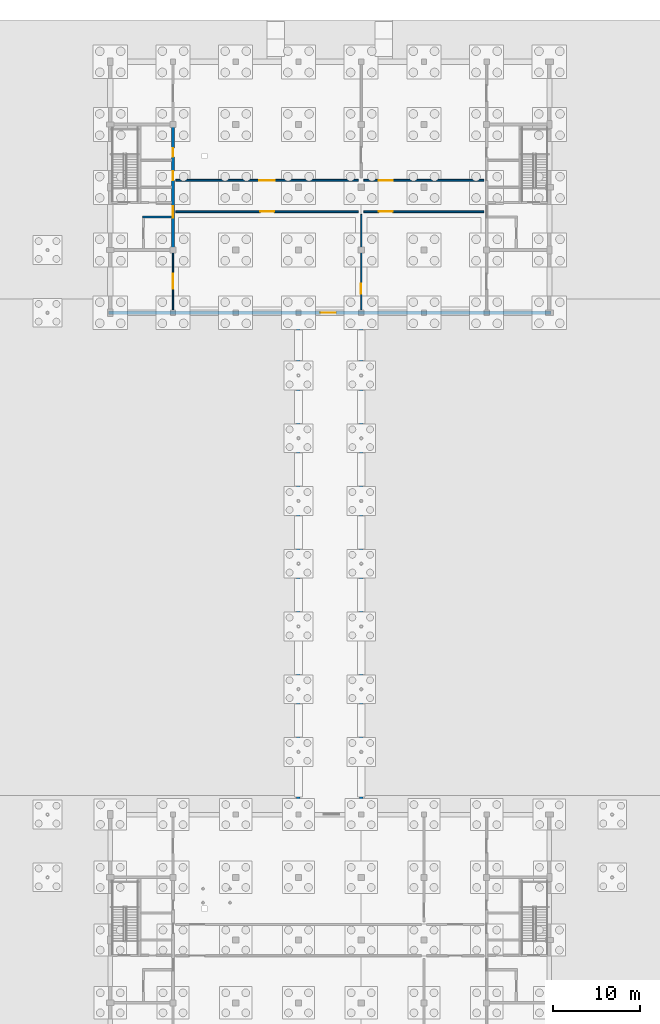
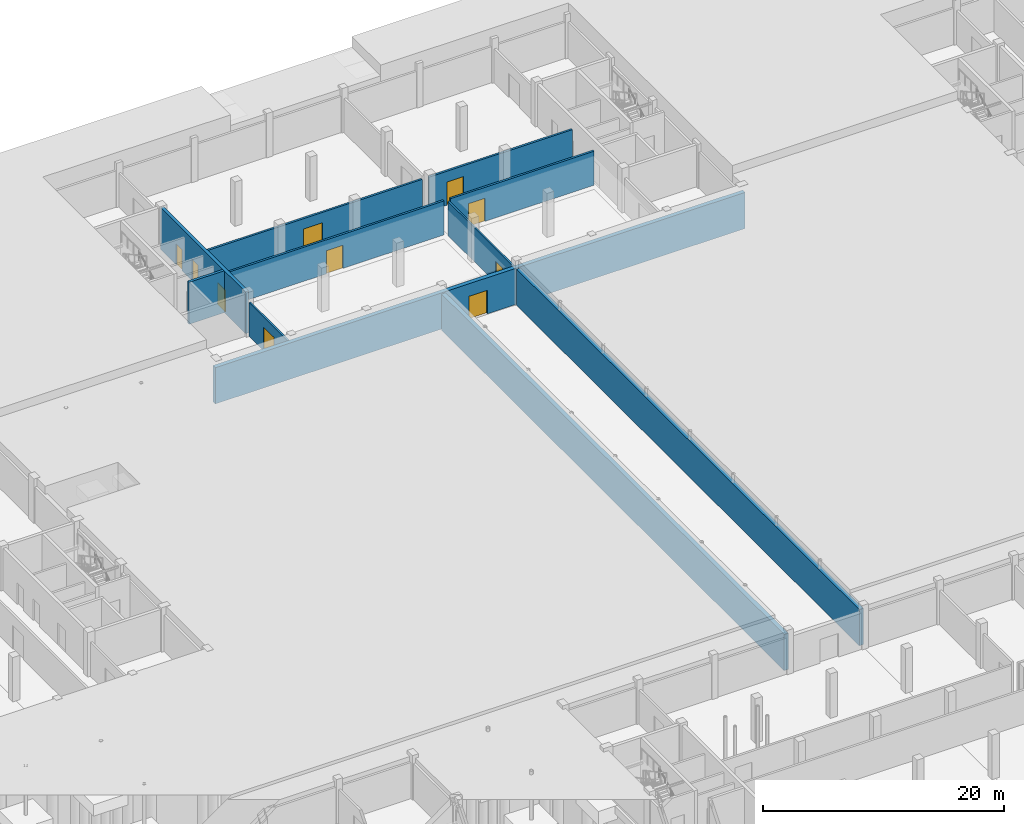
# One storey, part 30 of 51: 11 walls, 10 doors, 10 openings.
"""IFC4 building model written with IfcOpenShell, lengths in metres."""

from ifc_helpers import new_model, si_unit, direction, frame, frame_2d, origin, place, context, subcontext, project, spatial, rectangle, extrude, material, layer, layer_set, type_object, element, fill, save


model = new_model("IFC4")

# Units and contexts
model_context = context("Model", 3, precision=1e-05, world=origin(), true_north=direction((0.0, 1.0)))
body_context = subcontext(model_context, "Body", "Model", "MODEL_VIEW")
ifc_project = project(units=[si_unit("LENGTHUNIT", "METRE"), si_unit("AREAUNIT", "SQUARE_METRE"), si_unit("VOLUMEUNIT", "CUBIC_METRE"), si_unit("PLANEANGLEUNIT", "RADIAN"), si_unit("MASSUNIT", "GRAM", prefix="KILO")], contexts=[model_context])

# Site, building, storey
site_placement = place(None, origin())
site = spatial("IfcSite", under=ifc_project, at=site_placement, CompositionType="ELEMENT")
building_placement = place(site_placement, origin())
building = spatial("IfcBuilding", under=site, at=building_placement, Name="Zlatovets Crest Museum", CompositionType="ELEMENT")
storey_placement = place(building_placement, frame((0.0, 0.0, -4.5)))
storey = spatial("IfcBuildingStorey", under=building, at=storey_placement, Name="B1", CompositionType="ELEMENT", Elevation=-4.5)

# Wall, openings, doors
ifc_material_1 = material(Name="Concrete C35/45", Category="concrete")
ifc_layer_1 = layer(ifc_material_1, 0.300048828125)
ifc_layer_set_1 = layer_set([ifc_layer_1], Name="Concrete C35/45")
wall_type_1 = type_object("IfcWallType", Name="CoreWall_SW01", PredefinedType="SHEAR", material=ifc_layer_set_1)
wall_1_placement = place(storey_placement, frame((64.800048828125, 93.75, 0.0), z_axis=(0.0, 0.0, 1.0), x_axis=(0.0, 1.0, 0.0)))
wall_1 = element("IfcWall", 1, at=wall_1_placement, inside=storey, type_object=wall_type_1, Name="Core C1 B1 Spine Shear Wall", PredefinedType="SHEAR", context=body_context, shape_type="SweptSolid", body=[
    extrude(rectangle(XDim=14.10009765625, YDim=0.300048828125, at=frame_2d((7.050048828125, 0.0))), origin(), (0.0, 0.0, 1.0), 4.25),
])
opening_1_placement = place(wall_1_placement, frame((3.550048828125, 0.0, 0.0)))
opening_1 = element("IfcOpeningElement", 2, at=opening_1_placement, cuts=wall_1, Name="Opening FD-01", PredefinedType="OPENING", context=body_context, shape_type="SweptSolid", body=[
    extrude(rectangle(XDim=1.300048828125, YDim=2.199951171875, at=frame_2d((0.64990234375, 1.10009765625))), frame((0.0, 0.16015625, 0.0), z_axis=(0.0, -1.0, 0.0), x_axis=(1.0, 0.0, 0.0)), (0.0, 0.0, 1.0), 0.320068359375),
])
opening_2_placement = place(wall_1_placement, frame((7.85009765625, 0.0, 0.0)))
opening_2 = element("IfcOpeningElement", 3, at=opening_2_placement, cuts=wall_1, Name="Opening ID-02", PredefinedType="OPENING", context=body_context, shape_type="SweptSolid", body=[
    extrude(rectangle(XDim=1.050048828125, YDim=2.14990234375, at=frame_2d((0.52490234375, 1.074951171875))), frame((0.0, 0.16015625, 0.0), z_axis=(0.0, -1.0, 0.0), x_axis=(1.0, 0.0, 0.0)), (0.0, 0.0, 1.0), 0.320068359375),
])
opening_3_placement = place(wall_1_placement, frame((10.550048828125, 0.0, 0.0)))
opening_3 = element("IfcOpeningElement", 4, at=opening_3_placement, cuts=wall_1, Name="Opening ID-01", PredefinedType="OPENING", context=body_context, shape_type="SweptSolid", body=[
    extrude(rectangle(XDim=1.0, YDim=2.14990234375, at=frame_2d((0.5, 1.074951171875))), frame((0.0, 0.16015625, 0.0), z_axis=(0.0, -1.0, 0.0), x_axis=(1.0, 0.0, 0.0)), (0.0, 0.0, 1.0), 0.320068359375),
])
ifc_material_2 = material(Name="Smoke-sealed steel fire door", Category="steel")
door_type_1 = type_object("IfcDoorType", Name="IntDoor_FD-01", OperationType="NOTDEFINED", PredefinedType="DOOR", material=ifc_material_2)
door_1_placement = place(opening_1_placement, origin())
door_1 = element("IfcDoor", 5, at=door_1_placement, inside=storey, type_object=door_type_1, Name="CDOOR-C1-B1-LOB Core C1 B1 Lobby Fire Door", OperationType="SINGLE_SWING_LEFT", OverallHeight=2.199951171875, OverallWidth=1.300048828125, PredefinedType="DOOR", context=body_context, shape_type="SweptSolid", body=[
    extrude(rectangle(XDim=1.300048828125, YDim=2.199951171875, at=frame_2d((0.64990234375, 1.10009765625))), frame((0.0, 0.02490234375, 0.0), z_axis=(0.0, -1.0, 0.0), x_axis=(1.0, 0.0, 0.0)), (0.0, 0.0, 1.0), 0.050048828125),
])
fill(opening_1, door_1)
ifc_material_3 = material(Name="Solid oak museum room door")
door_type_2 = type_object("IfcDoorType", Name="IntDoor_ID-01", OperationType="NOTDEFINED", PredefinedType="DOOR", material=ifc_material_3)
door_2_placement = place(opening_3_placement, origin())
door_2 = element("IfcDoor", 6, at=door_2_placement, inside=storey, type_object=door_type_2, Name="CDOOR-C1-B1-WC Core C1 B1 Public Restroom Door", OperationType="SINGLE_SWING_RIGHT", OverallHeight=2.14990234375, OverallWidth=1.0, PredefinedType="DOOR", context=body_context, shape_type="SweptSolid", body=[
    extrude(rectangle(XDim=1.0, YDim=2.14990234375, at=frame_2d((0.5, 1.074951171875))), frame((0.0, 0.02490234375, 0.0), z_axis=(0.0, -1.0, 0.0), x_axis=(1.0, 0.0, 0.0)), (0.0, 0.0, 1.0), 0.050048828125),
])
fill(opening_3, door_2)
ifc_material_4 = material(Name="Accessible sanitary room door")
door_type_3 = type_object("IfcDoorType", Name="IntDoor_ID-02", OperationType="NOTDEFINED", PredefinedType="DOOR", material=ifc_material_4)
door_3_placement = place(opening_2_placement, origin())
door_3 = element("IfcDoor", 7, at=door_3_placement, inside=storey, type_object=door_type_3, Name="CDOOR-C1-B1-AWC Core C1 B1 Accessible WC Door", OperationType="SINGLE_SWING_LEFT", OverallHeight=2.14990234375, OverallWidth=1.050048828125, PredefinedType="DOOR", context=body_context, shape_type="SweptSolid", body=[
    extrude(rectangle(XDim=1.050048828125, YDim=2.14990234375, at=frame_2d((0.52490234375, 1.074951171875))), frame((0.0, 0.02490234375, 0.0), z_axis=(0.0, -1.0, 0.0), x_axis=(1.0, 0.0, 0.0)), (0.0, 0.0, 1.0), 0.050048828125),
])
fill(opening_2, door_3)

# Wall
ifc_layer_2 = layer(ifc_material_1, 0.25)
ifc_layer_set_2 = layer_set([ifc_layer_2], Name="Concrete C35/45")
wall_type_2 = type_object("IfcWallType", Name="CoreWall_SW02", PredefinedType="SHEAR", material=ifc_layer_set_2)
wall_2_placement = place(storey_placement, frame((61.27490234375, 97.39990234375, 0.0), z_axis=(0.0, 0.0, 1.0), x_axis=(1.0, 0.0, 0.0)))
element("IfcWall", 8, at=wall_2_placement, inside=storey, type_object=wall_type_2, Name="Core C1 B1 Lift Shaft North Shear Wall", PredefinedType="SHEAR", context=body_context, shape_type="SweptSolid", body=[
    extrude(rectangle(XDim=3.375, YDim=0.25, at=frame_2d((1.6875, 0.0))), origin(), (0.0, 0.0, 1.0), 4.25),
])

# Wall, opening, door
ifc_material_5 = material(Name="Gypsum-encased fire compartment partition")
ifc_layer_3 = layer(ifc_material_5, 0.199951171875)
ifc_layer_set_3 = layer_set([ifc_layer_3], Name="Gypsum-encased fire compartment partition")
wall_type_3 = type_object("IfcWallType", Name="PartWall_PT-01", PredefinedType="PARTITIONING", material=ifc_layer_set_3)
wall_3_placement = place(storey_placement, frame((65.1201171875, 98.0, 0.0), z_axis=(0.0, 0.0, 1.0), x_axis=(1.0, 0.0, 0.0)))
wall_3 = element("IfcWall", 9, at=wall_3_placement, inside=storey, type_object=wall_type_3, Name="V1 B1 Interior Partition PT-01", PredefinedType="PARTITIONING", context=body_context, shape_type="SweptSolid", body=[
    extrude(rectangle(XDim=20.9599609375, YDim=0.199951171875, at=frame_2d((10.47998046875, 0.0))), origin(), (0.0, 0.0, 1.0), 3.449951171875),
])
opening_4_placement = place(wall_3_placement, frame((9.679931640625, 0.0, 0.0)))
opening_4 = element("IfcOpeningElement", 10, at=opening_4_placement, cuts=wall_3, Name="Opening ID-04", PredefinedType="OPENING", context=body_context, shape_type="SweptSolid", body=[
    extrude(rectangle(XDim=1.60009765625, YDim=2.35009765625, at=frame_2d((0.800048828125, 1.175048828125))), frame((0.0, 0.10986328125, 0.0), z_axis=(0.0, -1.0, 0.0), x_axis=(1.0, 0.0, 0.0)), (0.0, 0.0, 1.0), 0.219970703125),
])
ifc_material_6 = material(Name="Gallery salon double portal door")
door_type_4 = type_object("IfcDoorType", Name="IntDoor_ID-04", OperationType="DOUBLE_DOOR_SINGLE_SWING", PredefinedType="DOOR", material=ifc_material_6)
door_4_placement = place(opening_4_placement, origin())
door_4 = element("IfcDoor", 11, at=door_4_placement, inside=storey, type_object=door_type_4, Name="IDOOR-V1-B1-0001 North Basement Spine Corridor to Ancient Serdica Lapidarium Gallery Door", OperationType="DOUBLE_DOOR_SINGLE_SWING", OverallHeight=2.35009765625, OverallWidth=1.60009765625, PredefinedType="DOOR", context=body_context, shape_type="SweptSolid", body=[
    extrude(rectangle(XDim=1.60009765625, YDim=2.35009765625, at=frame_2d((0.800048828125, 1.175048828125))), frame((0.0, 0.02490234375, 0.0), z_axis=(0.0, -1.0, 0.0), x_axis=(1.0, 0.0, 0.0)), (0.0, 0.0, 1.0), 0.050048828125),
])
fill(opening_4, door_4)

wall_4_placement = place(storey_placement, frame((86.719970703125, 98.0, 0.0), z_axis=(0.0, 0.0, 1.0), x_axis=(1.0, 0.0, 0.0)))
wall_4 = element("IfcWall", 12, at=wall_4_placement, inside=storey, type_object=wall_type_3, Name="V1 B1 Interior Partition PT-01", PredefinedType="PARTITIONING", context=body_context, shape_type="SweptSolid", body=[
    extrude(rectangle(XDim=13.760009765625, YDim=0.199951171875, at=frame_2d((6.8798828125, 0.0))), origin(), (0.0, 0.0, 1.0), 3.449951171875),
])
opening_5_placement = place(wall_4_placement, frame((1.701904296875, 0.0, 0.0)))
opening_5 = element("IfcOpeningElement", 13, at=opening_5_placement, cuts=wall_4, Name="Opening ID-04", PredefinedType="OPENING", context=body_context, shape_type="SweptSolid", body=[
    extrude(rectangle(XDim=1.60009765625, YDim=2.35009765625, at=frame_2d((0.800048828125, 1.175048828125))), frame((0.0, 0.10986328125, 0.0), z_axis=(0.0, -1.0, 0.0), x_axis=(1.0, 0.0, 0.0)), (0.0, 0.0, 1.0), 0.219970703125),
])
door_5_placement = place(opening_5_placement, origin())
door_5 = element("IfcDoor", 14, at=door_5_placement, inside=storey, type_object=door_type_4, Name="IDOOR-V1-B1-0002 North Basement Spine Corridor to Thracian Epigraphy Exhibition Gallery Door", OperationType="DOUBLE_DOOR_SINGLE_SWING", OverallHeight=2.35009765625, OverallWidth=1.60009765625, PredefinedType="DOOR", context=body_context, shape_type="SweptSolid", body=[
    extrude(rectangle(XDim=1.60009765625, YDim=2.35009765625, at=frame_2d((0.800048828125, 1.175048828125))), frame((0.0, 0.02490234375, 0.0), z_axis=(0.0, -1.0, 0.0), x_axis=(1.0, 0.0, 0.0)), (0.0, 0.0, 1.0), 0.050048828125),
])
fill(opening_5, door_5)

wall_5_placement = place(storey_placement, frame((65.1201171875, 101.60009765625, 0.0), z_axis=(0.0, 0.0, 1.0), x_axis=(1.0, 0.0, 0.0)))
wall_5 = element("IfcWall", 15, at=wall_5_placement, inside=storey, type_object=wall_type_3, Name="V1 B1 Interior Partition PT-01", PredefinedType="PARTITIONING", context=body_context, shape_type="SweptSolid", body=[
    extrude(rectangle(XDim=20.9599609375, YDim=0.199951171875, at=frame_2d((10.47998046875, 0.0))), origin(), (0.0, 0.0, 1.0), 3.449951171875),
])
opening_6_placement = place(wall_5_placement, frame((9.580078125, 0.0, 0.0)))
opening_6 = element("IfcOpeningElement", 16, at=opening_6_placement, cuts=wall_5, Name="Opening FD-04", PredefinedType="OPENING", context=body_context, shape_type="SweptSolid", body=[
    extrude(rectangle(XDim=1.800048828125, YDim=2.39990234375, at=frame_2d((0.89990234375, 1.199951171875))), frame((0.0, 0.10986328125, 0.0), z_axis=(0.0, -1.0, 0.0), x_axis=(1.0, 0.0, 0.0)), (0.0, 0.0, 1.0), 0.219970703125),
])
ifc_material_7 = material(Name="Archive vault heavy fire door")
door_type_5 = type_object("IfcDoorType", Name="IntDoor_FD-04", OperationType="DOUBLE_DOOR_SINGLE_SWING", PredefinedType="DOOR", material=ifc_material_7)
door_6_placement = place(opening_6_placement, origin())
door_6 = element("IfcDoor", 17, at=door_6_placement, inside=storey, type_object=door_type_5, Name="IDOOR-V1-B1-0003 North Basement Spine Corridor to Sculpture Collection Archive Door", OperationType="DOUBLE_DOOR_SINGLE_SWING", OverallHeight=2.39990234375, OverallWidth=1.800048828125, PredefinedType="DOOR", context=body_context, shape_type="SweptSolid", body=[
    extrude(rectangle(XDim=1.800048828125, YDim=2.39990234375, at=frame_2d((0.89990234375, 1.199951171875))), frame((0.0, 0.02490234375, 0.0), z_axis=(0.0, -1.0, 0.0), x_axis=(1.0, 0.0, 0.0)), (0.0, 0.0, 1.0), 0.050048828125),
])
fill(opening_6, door_6)

wall_6_placement = place(storey_placement, frame((86.719970703125, 101.60009765625, 0.0), z_axis=(0.0, 0.0, 1.0), x_axis=(1.0, 0.0, 0.0)))
wall_6 = element("IfcWall", 18, at=wall_6_placement, inside=storey, type_object=wall_type_3, Name="V1 B1 Interior Partition PT-01", PredefinedType="PARTITIONING", context=body_context, shape_type="SweptSolid", body=[
    extrude(rectangle(XDim=13.760009765625, YDim=0.199951171875, at=frame_2d((6.8798828125, 0.0))), origin(), (0.0, 0.0, 1.0), 3.449951171875),
])
opening_7_placement = place(wall_6_placement, frame((1.701904296875, 0.0, 0.0)))
opening_7 = element("IfcOpeningElement", 19, at=opening_7_placement, cuts=wall_6, Name="Opening ID-04", PredefinedType="OPENING", context=body_context, shape_type="SweptSolid", body=[
    extrude(rectangle(XDim=1.60009765625, YDim=2.35009765625, at=frame_2d((0.800048828125, 1.175048828125))), frame((0.0, 0.10986328125, 0.0), z_axis=(0.0, -1.0, 0.0), x_axis=(1.0, 0.0, 0.0)), (0.0, 0.0, 1.0), 0.219970703125),
])
door_7_placement = place(opening_7_placement, origin())
door_7 = element("IfcDoor", 20, at=door_7_placement, inside=storey, type_object=door_type_4, Name="IDOOR-V1-B1-0004 North Basement Spine Corridor to Stone and Mosaic Conservation Laboratory Door", OperationType="DOUBLE_DOOR_SINGLE_SWING", OverallHeight=2.35009765625, OverallWidth=1.60009765625, PredefinedType="DOOR", context=body_context, shape_type="SweptSolid", body=[
    extrude(rectangle(XDim=1.60009765625, YDim=2.35009765625, at=frame_2d((0.800048828125, 1.175048828125))), frame((0.0, 0.02490234375, 0.0), z_axis=(0.0, -1.0, 0.0), x_axis=(1.0, 0.0, 0.0)), (0.0, 0.0, 1.0), 0.050048828125),
])
fill(opening_7, door_7)

ifc_material_8 = material(Name="Acoustic museum gallery stud partition")
ifc_layer_4 = layer(ifc_material_8, 0.159912109375)
ifc_layer_set_4 = layer_set([ifc_layer_4], Name="Acoustic museum gallery stud partition")
wall_type_4 = type_object("IfcWallType", Name="PartWall_PT-02", PredefinedType="PARTITIONING", material=ifc_layer_set_4)
wall_7_placement = place(storey_placement, frame((86.39990234375, 86.719970703125, 0.0), z_axis=(0.0, 0.0, 1.0), x_axis=(0.0, 1.0, 0.0)))
wall_7 = element("IfcWall", 21, at=wall_7_placement, inside=storey, type_object=wall_type_4, Name="V1 B1 Interior Partition PT-02", PredefinedType="PARTITIONING", context=body_context, shape_type="SweptSolid", body=[
    extrude(rectangle(XDim=10.9599609375, YDim=0.159912109375, at=frame_2d((5.47998046875, 0.0))), origin(), (0.0, 0.0, 1.0), 3.449951171875),
])
opening_8_placement = place(wall_7_placement, frame((1.860595703125, 0.0, 0.0)))
opening_8 = element("IfcOpeningElement", 22, at=opening_8_placement, cuts=wall_7, Name="Opening ID-07", PredefinedType="OPENING", context=body_context, shape_type="SweptSolid", body=[
    extrude(rectangle(XDim=1.14990234375, YDim=2.199951171875, at=frame_2d((0.574951171875, 1.10009765625))), frame((0.0, 0.08984375, 0.0), z_axis=(0.0, -1.0, 0.0), x_axis=(1.0, 0.0, 0.0)), (0.0, 0.0, 1.0), 0.179931640625),
])
ifc_material_9 = material(Name="Curatorial study glazed oak door")
door_type_6 = type_object("IfcDoorType", Name="IntDoor_ID-07", OperationType="NOTDEFINED", PredefinedType="DOOR", material=ifc_material_9)
door_8_placement = place(opening_8_placement, origin())
door_8 = element("IfcDoor", 23, at=door_8_placement, inside=storey, type_object=door_type_6, Name="IDOOR-V1-B1-0005 Ancient Serdica Lapidarium Gallery to Thracian Epigraphy Exhibition Gallery Door", OperationType="SINGLE_SWING_RIGHT", OverallHeight=2.199951171875, OverallWidth=1.14990234375, PredefinedType="DOOR", context=body_context, shape_type="SweptSolid", body=[
    extrude(rectangle(XDim=1.14990234375, YDim=2.199951171875, at=frame_2d((0.574951171875, 1.10009765625))), frame((0.0, 0.02490234375, 0.0), z_axis=(0.0, -1.0, 0.0), x_axis=(1.0, 0.0, 0.0)), (0.0, 0.0, 1.0), 0.050048828125),
])
fill(opening_8, door_8)

wall_8_placement = place(storey_placement, frame((64.800048828125, 86.719970703125, 0.0), z_axis=(0.0, 0.0, 1.0), x_axis=(0.0, 1.0, 0.0)))
wall_8 = element("IfcWall", 24, at=wall_8_placement, inside=storey, type_object=wall_type_4, Name="V1 B1 Interior Partition PT-02", PredefinedType="PARTITIONING", context=body_context, shape_type="SweptSolid", body=[
    extrude(rectangle(XDim=6.56005859375, YDim=0.159912109375, at=frame_2d((3.280029296875, 0.0))), origin(), (0.0, 0.0, 1.0), 3.449951171875),
])
opening_9_placement = place(wall_8_placement, frame((2.429931640625, 0.0, 0.0)))
opening_9 = element("IfcOpeningElement", 25, at=opening_9_placement, cuts=wall_8, Name="Opening ID-08", PredefinedType="OPENING", context=body_context, shape_type="SweptSolid", body=[
    extrude(rectangle(XDim=1.699951171875, YDim=2.39990234375, at=frame_2d((0.85009765625, 1.199951171875))), frame((0.0, 0.08984375, 0.0), z_axis=(0.0, -1.0, 0.0), x_axis=(1.0, 0.0, 0.0)), (0.0, 0.0, 1.0), 0.179931640625),
])
ifc_material_10 = material(Name="Sculpture hall bronze-glazed double door")
door_type_7 = type_object("IfcDoorType", Name="IntDoor_ID-08", OperationType="DOUBLE_DOOR_SINGLE_SWING", PredefinedType="DOOR", material=ifc_material_10)
door_9_placement = place(opening_9_placement, origin())
door_9 = element("IfcDoor", 26, at=door_9_placement, inside=storey, type_object=door_type_7, Name="IDOOR-V1-B1-0006 Ancient Serdica Lapidarium Gallery to Substructure Curatorial Study Door", OperationType="DOUBLE_DOOR_SINGLE_SWING", OverallHeight=2.39990234375, OverallWidth=1.699951171875, PredefinedType="DOOR", context=body_context, shape_type="SweptSolid", body=[
    extrude(rectangle(XDim=1.699951171875, YDim=2.39990234375, at=frame_2d((0.85009765625, 1.199951171875))), frame((0.0, 0.02490234375, 0.0), z_axis=(0.0, -1.0, 0.0), x_axis=(1.0, 0.0, 0.0)), (0.0, 0.0, 1.0), 0.050048828125),
])
fill(opening_9, door_9)

ifc_layer_5 = layer(ifc_material_1, 0.39990234375)
ifc_layer_set_5 = layer_set([ifc_layer_5], Name="Concrete C35/45")
wall_type_5 = type_object("IfcWallType", Name="RetainingWall_RW01", PredefinedType="USERDEFINED", material=ifc_layer_set_5)
wall_9_placement = place(storey_placement, frame((57.39990234375, 86.39990234375, 0.0), z_axis=(0.0, 0.0, 1.0), x_axis=(1.0, 0.0, 0.0)))
wall_9 = element("IfcWall", 27, at=wall_9_placement, inside=storey, type_object=wall_type_5, Name="V1 B1 Retaining Wall S", ObjectType="RETAINING WALL", PredefinedType="USERDEFINED", context=body_context, shape_type="SweptSolid", body=[
    extrude(rectangle(XDim=50.800048828125, YDim=0.39990234375, at=frame_2d((25.39990234375, 0.0))), origin(), (0.0, 0.0, 1.0), 3.669921875),
])
opening_10_placement = place(wall_9_placement, frame((24.300048828125, 0.0, 0.0)))
opening_10 = element("IfcOpeningElement", 28, at=opening_10_placement, cuts=wall_9, Name="Opening FD-04", PredefinedType="OPENING", context=body_context, shape_type="SweptSolid", body=[
    extrude(rectangle(XDim=1.800048828125, YDim=2.39990234375, at=frame_2d((0.89990234375, 1.199951171875))), frame((0.0, 0.2099609375, 0.0), z_axis=(0.0, -1.0, 0.0), x_axis=(1.0, 0.0, 0.0)), (0.0, 0.0, 1.0), 0.419921875),
])
door_10_placement = place(opening_10_placement, origin())
door_10 = element("IfcDoor", 29, at=door_10_placement, inside=storey, type_object=door_type_5, Name="IDOOR-BR5-B1-N Art Transit Tunnel North Vault Door", OperationType="DOUBLE_DOOR_SINGLE_SWING", OverallHeight=2.39990234375, OverallWidth=1.800048828125, PredefinedType="DOOR", context=body_context, shape_type="SweptSolid", body=[
    extrude(rectangle(XDim=1.800048828125, YDim=2.39990234375, at=frame_2d((0.89990234375, 1.199951171875))), frame((0.0, 0.02490234375, 0.0), z_axis=(0.0, -1.0, 0.0), x_axis=(1.0, 0.0, 0.0)), (0.0, 0.0, 1.0), 0.050048828125),
])
fill(opening_10, door_10)

# Walls
for number, where, z_axis, x_axis, name in (
    (30, (79.199951171875, 29.14990234375, 0.0), (0.0, 0.0, 1.0), (0.0, 1.0, 0.0), "BR5 B1 Tunnel Retaining Wall W"),
    (31, (86.39990234375, 29.14990234375, 0.0), (0.0, 0.0, 1.0), (0.0, 1.0, 0.0), "BR5 B1 Tunnel Retaining Wall E"),
):
    element("IfcWall", number, at=place(storey_placement, frame(where, z_axis=z_axis, x_axis=x_axis)), inside=storey, type_object=wall_type_5, Name=name, ObjectType="RETAINING WALL", PredefinedType="USERDEFINED", context=body_context, shape_type="SweptSolid", body=[
        extrude(rectangle(XDim=56.900146484375, YDim=0.39990234375, at=frame_2d((28.4501953125, 0.0))), origin(), (0.0, 0.0, 1.0), 3.669921875),
    ])

save(model, "model.ifc")
